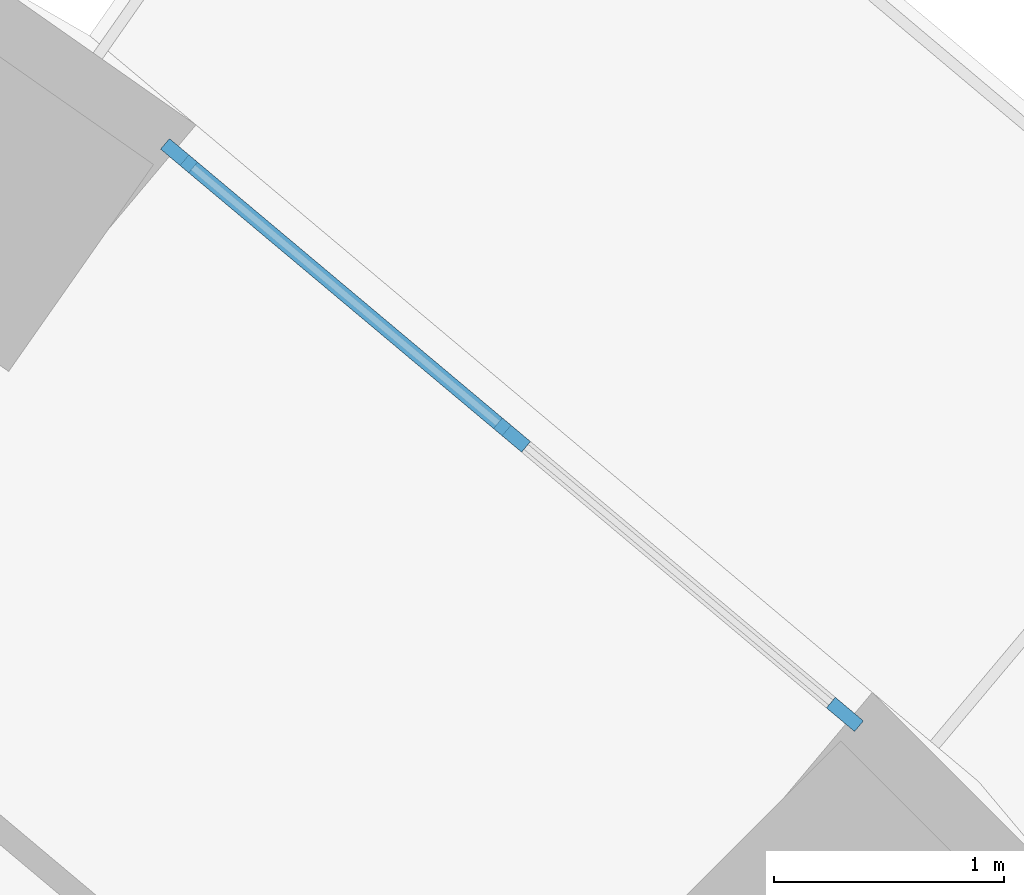
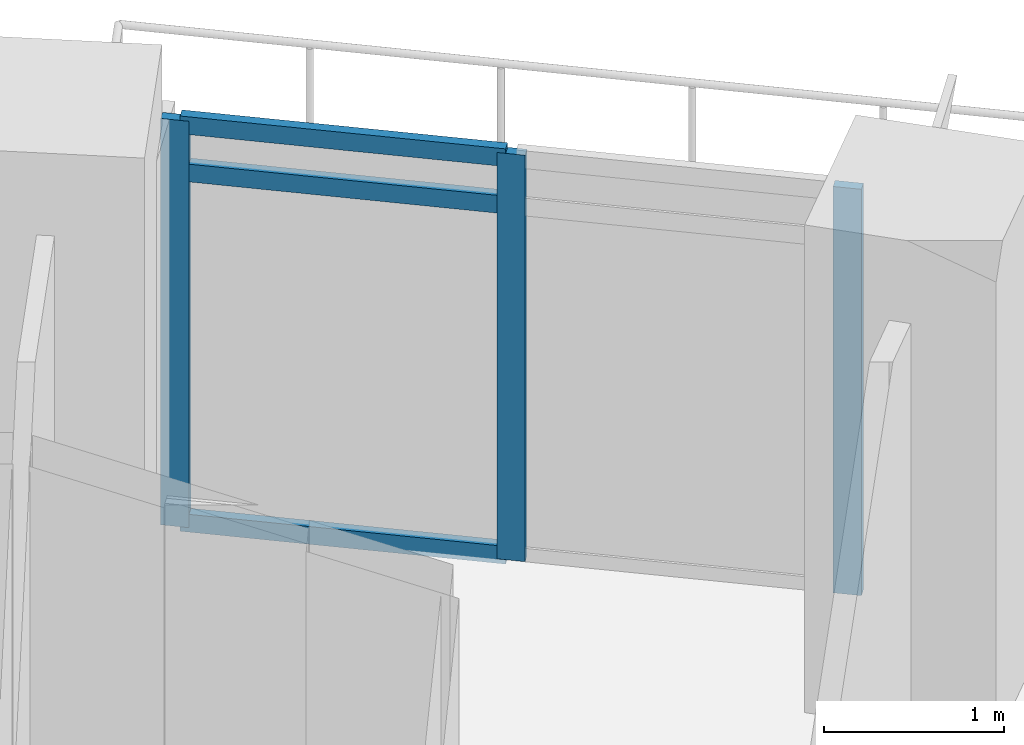
# One storey, part 2 of 15: 6 members, 1 element without a shape of its own.
"""IFC4 building model written with IfcOpenShell, lengths in metres."""

from ifc_helpers import new_model, si_unit, direction, frame, origin, origin_2d, place, context, subcontext, project, spatial, rectangle, extrude, material, layer, layer_set, material_profile, profile_set, type_object, element, aggregate, save


model = new_model("IFC4")

# Units and contexts
model_context = context("Model", 3, precision=1e-05, world=origin(), true_north=direction((0.0, 1.0)))
body_context = subcontext(model_context, "Body", "Model", "MODEL_VIEW")
ifc_project = project(units=[si_unit("LENGTHUNIT", "METRE"), si_unit("AREAUNIT", "SQUARE_METRE"), si_unit("VOLUMEUNIT", "CUBIC_METRE"), si_unit("PLANEANGLEUNIT", "RADIAN"), si_unit("MASSUNIT", "GRAM", prefix="KILO")], contexts=[model_context])

# Site, building, storey
site_placement = place(None, origin())
site = spatial("IfcSite", under=ifc_project, at=site_placement, CompositionType="ELEMENT")
building_placement = place(site_placement, origin())
building = spatial("IfcBuilding", under=site, at=building_placement, Name="Saqina Gate Tower", CompositionType="ELEMENT")
storey_placement = place(building_placement, frame((0.0, 0.0, 56.0)))
storey = spatial("IfcBuildingStorey", under=building, at=storey_placement, Name="L15", CompositionType="ELEMENT", Elevation=56.0)

# Curtain wall, members
ifc_material_1 = material(Name="Aluminium glazing", Category="aluminium")
ifc_layer = layer(ifc_material_1, 0.159912109375)
ifc_layer_set = layer_set([ifc_layer], Name="CWT-4")
curtain_wall_type = type_object("IfcCurtainWallType", Name="CWT-4", PredefinedType="NOTDEFINED", material=ifc_layer_set)
curtain_wall_placement = place(storey_placement, origin())
curtain_wall = element("IfcCurtainWall", 1, at=curtain_wall_placement, inside=storey, type_object=curtain_wall_type, Name="Terrace lounge glazing facet 5", PredefinedType="NOTDEFINED")
ifc_material_2 = material(Name="Aluminium", Category="aluminium")
ifc_material_profile_1 = material_profile(ifc_material_2, rectangle(XDim=0.06005859375, YDim=0.159912109375, at=origin_2d()), Name="Aluminium 60x160")
ifc_profile_set_1 = profile_set([ifc_material_profile_1], Name="Aluminium")
member_type_1 = type_object("IfcMemberType", Name="CWT-4M", PredefinedType="MULLION", material=ifc_profile_set_1)
member_1_placement = place(storey_placement, frame((19.923583984375, 20.799072265625, 0.0), z_axis=(0.0, 0.0, 1.0), x_axis=(-0.642791970033, -0.766040784332, 0.0)))
member_1 = element("IfcMember", 2, at=member_1_placement, type_object=member_type_1, Name="CW4-05 mullion 1", PredefinedType="MULLION", context=body_context, shape_type="SweptSolid", body=[
    extrude(rectangle(XDim=0.06005859375, YDim=0.159912109375, at=origin_2d()), origin(), (0.0, 0.0, 1.0), 2.75),
])
member_2_placement = place(storey_placement, frame((18.473388671875, 22.015869140625, 0.0), z_axis=(0.0, 0.0, 1.0), x_axis=(-0.642791970033, -0.766040784332, 0.0)))
member_2 = element("IfcMember", 3, at=member_2_placement, type_object=member_type_1, Name="CW4-05 mullion 2", PredefinedType="MULLION", context=body_context, shape_type="SweptSolid", body=[
    extrude(rectangle(XDim=0.06005859375, YDim=0.159912109375, at=origin_2d()), origin(), (0.0, 0.0, 1.0), 2.75),
])
member_3_placement = place(storey_placement, frame((17.0234375, 23.232666015625, 0.0), z_axis=(0.0, 0.0, 1.0), x_axis=(-0.642791970033, -0.766040784332, 0.0)))
member_3 = element("IfcMember", 4, at=member_3_placement, type_object=member_type_1, Name="CW4-05 mullion 3", PredefinedType="MULLION", context=body_context, shape_type="SweptSolid", body=[
    extrude(rectangle(XDim=0.06005859375, YDim=0.159912109375, at=origin_2d()), origin(), (0.0, 0.0, 1.0), 2.75),
])
ifc_material_3 = material(Name="Aluminium", Category="aluminium")
ifc_material_profile_2 = material_profile(ifc_material_3, rectangle(XDim=0.06005859375, YDim=0.1201171875, at=origin_2d()), Name="Aluminium 60x120")
ifc_profile_set_2 = profile_set([ifc_material_profile_2], Name="Aluminium")
member_type_2 = type_object("IfcMemberType", Name="CWT-4T", PredefinedType="USERDEFINED", material=ifc_profile_set_2)
member_4_placement = place(storey_placement, frame((18.450439453125, 22.03515625, 0.030029296875), z_axis=(-0.766022272785, 0.642814030336, 0.0), x_axis=(-0.642814030336, -0.766022272785, 0.0)))
member_4 = element("IfcMember", 5, at=member_4_placement, type_object=member_type_2, Name="CW4-05 transom 2.1", ObjectType="TRANSOM", PredefinedType="USERDEFINED", context=body_context, shape_type="SweptSolid", body=[
    extrude(rectangle(XDim=0.06005859375, YDim=0.1201171875, at=origin_2d()), origin(), (0.0, 0.0, 1.0), 1.8330078125),
])
member_5_placement = place(storey_placement, frame((18.450439453125, 22.03515625, 2.39990234375), z_axis=(-0.766022272785, 0.642814030336, 0.0), x_axis=(-0.642814030336, -0.766022272785, 0.0)))
member_5 = element("IfcMember", 6, at=member_5_placement, type_object=member_type_2, Name="CW4-05 transom 2.2", ObjectType="TRANSOM", PredefinedType="USERDEFINED", context=body_context, shape_type="SweptSolid", body=[
    extrude(rectangle(XDim=0.06005859375, YDim=0.1201171875, at=origin_2d()), origin(), (0.0, 0.0, 1.0), 1.8330078125),
])
member_6_placement = place(storey_placement, frame((18.450439453125, 22.03515625, 2.719970703125), z_axis=(-0.766022272785, 0.642814030336, 0.0), x_axis=(-0.642814030336, -0.766022272785, 0.0)))
member_6 = element("IfcMember", 7, at=member_6_placement, type_object=member_type_2, Name="CW4-05 transom 2.3", ObjectType="TRANSOM", PredefinedType="USERDEFINED", context=body_context, shape_type="SweptSolid", body=[
    extrude(rectangle(XDim=0.06005859375, YDim=0.1201171875, at=origin_2d()), origin(), (0.0, 0.0, 1.0), 1.8330078125),
])
aggregate(curtain_wall, [member_1, member_2, member_3, member_4, member_5, member_6])

save(model, "model.ifc")
